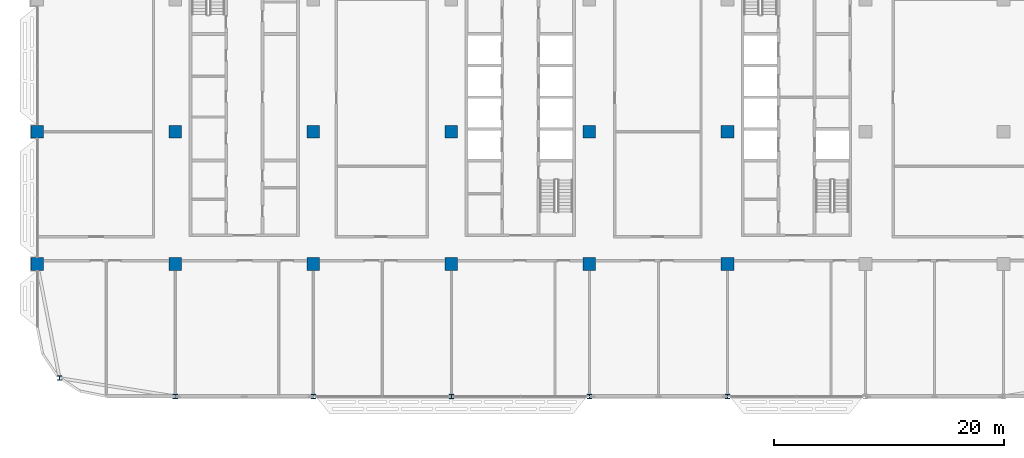
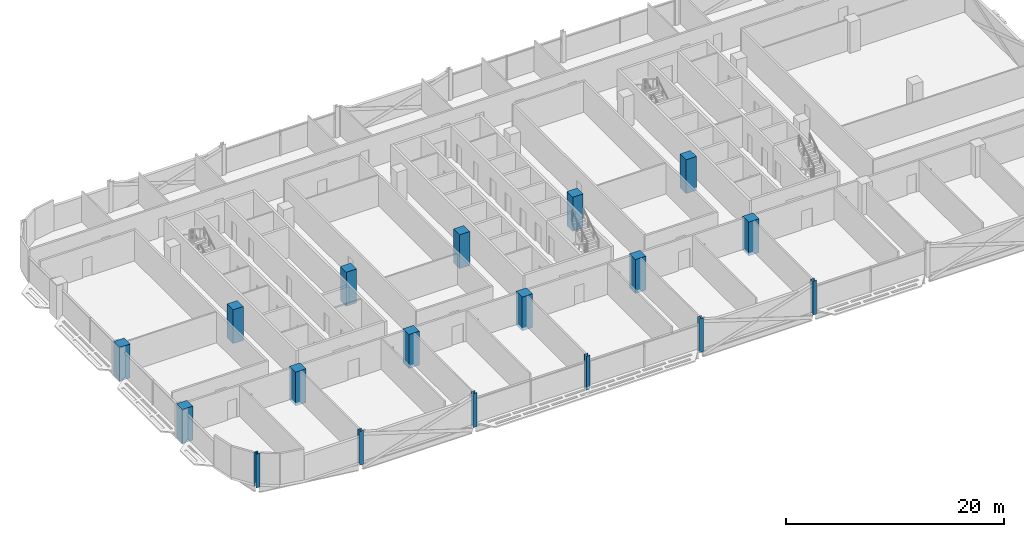
# One storey, part 1 of 29: 18 columns.
"""IFC4 building model written with IfcOpenShell, lengths in metres."""

from ifc_helpers import new_model, si_unit, direction, frame, origin, origin_2d, place, context, subcontext, project, spatial, rectangle, i_section, extrude, material, material_profile, profile_set, type_object, element, save


model = new_model("IFC4")

# Units and contexts
model_context = context("Model", 3, precision=1e-05, world=origin(), true_north=direction((0.0, 1.0)))
body_context = subcontext(model_context, "Body", "Model", "MODEL_VIEW")
ifc_project = project(units=[si_unit("LENGTHUNIT", "METRE"), si_unit("AREAUNIT", "SQUARE_METRE"), si_unit("VOLUMEUNIT", "CUBIC_METRE"), si_unit("PLANEANGLEUNIT", "RADIAN"), si_unit("MASSUNIT", "GRAM", prefix="KILO")], contexts=[model_context])

# Site, building, storey
site_placement = place(None, origin())
site = spatial("IfcSite", under=ifc_project, at=site_placement, CompositionType="ELEMENT")
building_placement = place(site_placement, origin())
building = spatial("IfcBuilding", under=site, at=building_placement, Name="Mahtab Terrace Research Tower", CompositionType="ELEMENT")
storey_placement = place(building_placement, frame((0.0, 0.0, 197.699951171875)))
storey = spatial("IfcBuildingStorey", under=building, at=storey_placement, Name="L47", CompositionType="ELEMENT", Elevation=197.699951171875)

# Columns
ifc_material_1 = material(Name="Concrete C70/85", Category="concrete")
ifc_material_profile_1 = material_profile(ifc_material_1, rectangle(XDim=1.10009765625, YDim=1.10009765625, at=origin_2d()), Name="RC column 1100x1100")
ifc_profile_set_1 = profile_set([ifc_material_profile_1], Name="Concrete C70/85")
column_type_1 = type_object("IfcColumnType", Name="RC column 1100x1100", PredefinedType="COLUMN", material=ifc_profile_set_1)
for number, where, z_axis, x_axis, name in (
    (1, (-42.0, -11.5, -0.33984375), (0.0, 0.0, 1.0), (1.0, 0.0, 0.0), "Column RC-1A L47"),
    (2, (-42.0, 0.0, -0.33984375), (0.0, 0.0, 1.0), (1.0, 0.0, 0.0), "Column RC-1B L47"),
    (3, (-30.0, -11.5, -0.33984375), (0.0, 0.0, 1.0), (1.0, 0.0, 0.0), "Column RC-2A L47"),
    (4, (-30.0, 0.0, -0.33984375), (0.0, 0.0, 1.0), (1.0, 0.0, 0.0), "Column RC-2B L47"),
    (5, (-18.0, -11.5, -0.33984375), (0.0, 0.0, 1.0), (1.0, 0.0, 0.0), "Column RC-3A L47"),
    (6, (-18.0, 0.0, -0.33984375), (0.0, 0.0, 1.0), (1.0, 0.0, 0.0), "Column RC-3B L47"),
    (7, (-6.0, -11.5, -0.33984375), (0.0, 0.0, 1.0), (1.0, 0.0, 0.0), "Column RC-4A L47"),
    (8, (-6.0, 0.0, -0.33984375), (0.0, 0.0, 1.0), (1.0, 0.0, 0.0), "Column RC-4B L47"),
    (9, (6.0, -11.5, -0.33984375), (0.0, 0.0, 1.0), (1.0, 0.0, 0.0), "Column RC-5A L47"),
    (10, (6.0, 0.0, -0.33984375), (0.0, 0.0, 1.0), (1.0, 0.0, 0.0), "Column RC-5B L47"),
    (11, (18.0, -11.5, -0.33984375), (0.0, 0.0, 1.0), (1.0, 0.0, 0.0), "Column RC-6A L47"),
    (12, (18.0, 0.0, -0.33984375), (0.0, 0.0, 1.0), (1.0, 0.0, 0.0), "Column RC-6B L47"),
):
    element("IfcColumn", number, at=place(storey_placement, frame(where, z_axis=z_axis, x_axis=x_axis)), inside=storey, type_object=column_type_1, Name=name, PredefinedType="COLUMN", context=body_context, shape_type="SweptSolid", body=[
        extrude(rectangle(XDim=1.10009765625, YDim=1.10009765625, at=origin_2d()), origin(), (0.0, 0.0, 1.0), 3.7998046875),
    ])
ifc_material_2 = material(Name="Steel ASTM A992 Gr 50", Category="steel")
ifc_material_profile_2 = material_profile(ifc_material_2, i_section(OverallWidth=0.4013671875, OverallDepth=0.398681640625, WebThickness=0.02490234375, FlangeThickness=0.03955078125, at=origin_2d()), Name="W14X211")
ifc_profile_set_2 = profile_set([ifc_material_profile_2], Name="Steel ASTM A992 Gr 50")
column_type_2 = type_object("IfcColumnType", Name="W14x211 column CS14211", PredefinedType="COLUMN", material=ifc_profile_set_2)
for number, where, z_axis, x_axis, name in (
    (13, (-40.06201171875, -21.416015625, -0.33984375), (0.0, 0.0, 1.0), (1.0, 0.0, 0.0), "Column SC-025 L47"),
    (14, (-30.0, -23.0, -0.33984375), (0.0, 0.0, 1.0), (1.0, 0.0, 0.0), "Column SC-013 L47"),
    (15, (-18.0, -23.0, -0.33984375), (0.0, 0.0, 1.0), (1.0, 0.0, 0.0), "Column SC-014 L47"),
    (16, (-6.0, -23.0, -0.33984375), (0.0, 0.0, 1.0), (1.0, 0.0, 0.0), "Column SC-015 L47"),
    (17, (6.0, -23.0, -0.33984375), (0.0, 0.0, 1.0), (1.0, 0.0, 0.0), "Column SC-016 L47"),
    (18, (18.0, -23.0, -0.33984375), (0.0, 0.0, 1.0), (1.0, 0.0, 0.0), "Column SC-017 L47"),
):
    element("IfcColumn", number, at=place(storey_placement, frame(where, z_axis=z_axis, x_axis=x_axis)), inside=storey, type_object=column_type_2, Name=name, PredefinedType="COLUMN", context=body_context, shape_type="SweptSolid", body=[
        extrude(i_section(OverallWidth=0.4013671875, OverallDepth=0.398681640625, WebThickness=0.02490234375, FlangeThickness=0.03955078125, at=origin_2d()), origin(), (0.0, 0.0, 1.0), 3.7998046875),
    ])

save(model, "model.ifc")
